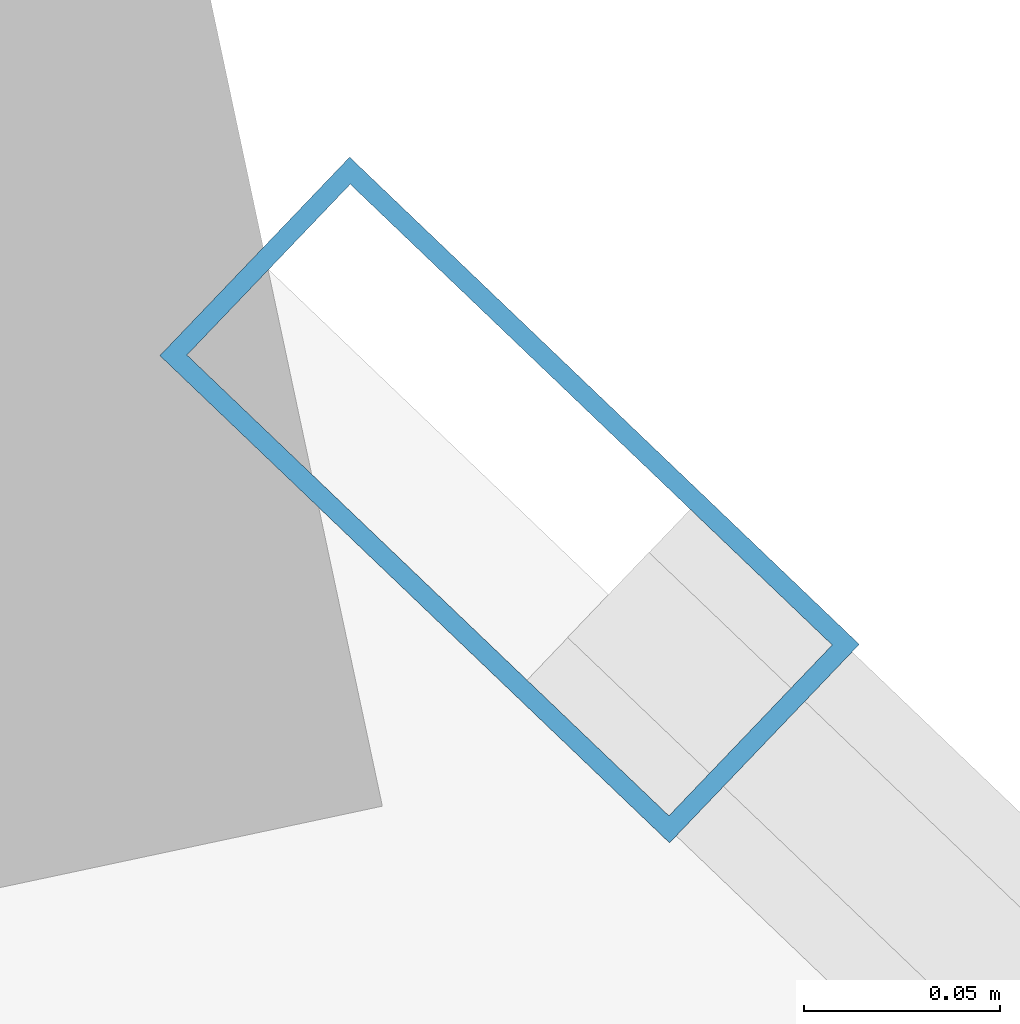
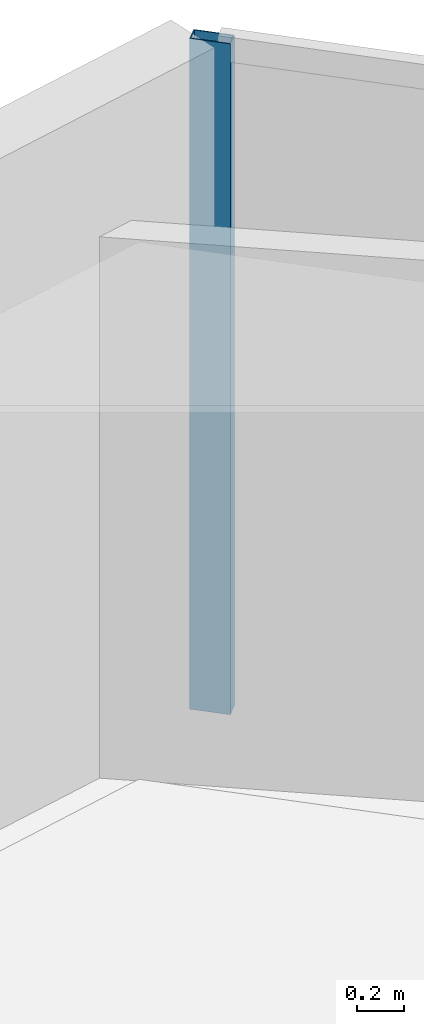
# One storey, part 16 of 23: 1 member, 1 element without a shape of its own.
"""IFC4 building model written with IfcOpenShell, lengths in metres."""

import ifcopenshell
import ifcopenshell.guid

model = None  # the IFC model being written
_history = None  # IfcOwnerHistory: only IFC2X3 demands one
_inside = {}  # id of a spatial element -> (the spatial element, [elements in it])
_under = {}  # id of a project, library or spatial element -> (it, [spatial elements below it])
_declared = {}  # id of a project -> (the project, [libraries it declares])
_typed = {}  # id of a type object -> (the type object, [elements of that type])
_made_of = {}  # id of a material, layer set ... -> (it, [elements and type objects made of it])


def new_model(schema):
    """Start an empty IFC model of exactly this schema.

    Asked for "IFC4X3", IfcOpenShell would pick the latest addendum, in which some entities
    have other attributes; the version numbers below select the first issue.
    IFC2X3 requires an IfcOwnerHistory on every rooted entity: one is made here for all.
    """
    global model, _history
    if schema == "IFC4X3":
        model = ifcopenshell.file(schema_version=(4, 3, 0, 0))
    else:
        model = ifcopenshell.file(schema=schema)
    _inside.clear()
    _under.clear()
    _declared.clear()
    _typed.clear()
    _made_of.clear()
    _history = None
    if model.schema == "IFC2X3":
        org = make("IfcOrganization", Name="unknown")
        user = make(
            "IfcPersonAndOrganization",
            ThePerson=make("IfcPerson", FamilyName="unknown"),
            TheOrganization=org,
        )
        app = make(
            "IfcApplication",
            ApplicationDeveloper=org,
            Version="unknown",
            ApplicationFullName="unknown",
            ApplicationIdentifier="unknown",
        )
        _history = make(
            "IfcOwnerHistory",
            OwningUser=user,
            OwningApplication=app,
            ChangeAction="ADDED",
            CreationDate=0,
        )
    return model


def make(cls, **values):
    """One entity of the class cls with the attributes given. An attribute that is None is left unset."""
    return model.create_entity(
        cls, **{name: value for name, value in values.items() if value is not None}
    )


def rooted(cls, **values):
    """An entity with a GlobalId (a new one), such as an element, a storey or a relation."""
    return make(cls, GlobalId=ifcopenshell.guid.new(), OwnerHistory=_history, **values)


def si_unit(unit_type, name, prefix=None):
    """IfcSIUnit, for example si_unit("LENGTHUNIT", "METRE", prefix="MILLI")."""
    return make("IfcSIUnit", UnitType=unit_type, Prefix=prefix, Name=name)


def assignment(units):
    """IfcUnitAssignment: the units of a project."""
    return None if units is None else make("IfcUnitAssignment", Units=units)


def point(xyz):
    """IfcCartesianPoint."""
    return None if xyz is None else make("IfcCartesianPoint", Coordinates=xyz)


def direction(xyz):
    """IfcDirection."""
    return None if xyz is None else make("IfcDirection", DirectionRatios=xyz)


def frame(location, z_axis=None, x_axis=None):
    """IfcAxis2Placement3D, a coordinate frame: its origin and axes. An axis left out is left unset."""
    return make(
        "IfcAxis2Placement3D",
        Location=point(location),
        Axis=direction(z_axis),
        RefDirection=direction(x_axis),
    )


def frame_2d(location, x_axis=None):
    """IfcAxis2Placement2D, a coordinate frame in the plane: its origin and x axis."""
    return make(
        "IfcAxis2Placement2D", Location=point(location), RefDirection=direction(x_axis)
    )


def origin():
    """The frame at (0, 0, 0) with its axes left unset."""
    return frame((0.0, 0.0, 0.0))


def origin_2d():
    """The frame at (0, 0) in the plane with its x axis left unset."""
    return frame_2d((0.0, 0.0))


def place(relative_to, where):
    """IfcLocalPlacement: puts the frame where relative to a parent placement (None: the world)."""
    return make(
        "IfcLocalPlacement", PlacementRelTo=relative_to, RelativePlacement=where
    )


def context(
    kind, dimensions, precision=None, world=None, true_north=None, identifier=None
):
    """IfcGeometricRepresentationContext, for example the 3D "Model" context."""
    return make(
        "IfcGeometricRepresentationContext",
        ContextIdentifier=identifier,
        ContextType=kind,
        CoordinateSpaceDimension=dimensions,
        Precision=precision,
        WorldCoordinateSystem=world,
        TrueNorth=true_north,
    )


def subcontext(parent, identifier, kind, view, scale=None):
    """IfcGeometricRepresentationSubContext, for example "Body" below "Model"."""
    return make(
        "IfcGeometricRepresentationSubContext",
        ContextIdentifier=identifier,
        ContextType=kind,
        ParentContext=parent,
        TargetScale=scale,
        TargetView=view,
    )


def project(units=None, contexts=None):
    """IfcProject with its units and contexts."""
    return rooted(
        "IfcProject",
        Name="project",
        RepresentationContexts=contexts,
        UnitsInContext=assignment(units),
    )


def spatial(cls, under=None, at=None, **own):
    """A site, building, storey or space (cls), placed at a placement, below another one or the project."""
    s = rooted(cls, ObjectPlacement=at, **own)
    if under is not None:
        _under.setdefault(under.id(), (under, []))[1].append(s)
    return s


def profile(cls, at=None, kind="AREA", **sizes):
    """A parametric profile (cls). Its sizes go by their IFC names, for example OverallWidth=200.0."""
    return make(cls, ProfileType=kind, Position=at, **sizes)


def hollow_rectangle(**sizes):
    """IfcRectangleHollowProfileDef."""
    return profile("IfcRectangleHollowProfileDef", **sizes)


def extrude(swept, where, along, depth):
    """IfcExtrudedAreaSolid: the profile swept, set in the frame where, extruded along a direction by depth."""
    return make(
        "IfcExtrudedAreaSolid",
        SweptArea=swept,
        Position=where,
        ExtrudedDirection=direction(along),
        Depth=depth,
    )


def shape(context_of_items, identifier, shape_type, items):
    """IfcShapeRepresentation: the items that make up one representation, for example the "Body"."""
    return make(
        "IfcShapeRepresentation",
        ContextOfItems=context_of_items,
        RepresentationIdentifier=identifier,
        RepresentationType=shape_type,
        Items=items,
    )


def material(Name=None, Category=None):
    """IfcMaterial."""
    return make("IfcMaterial", Name=Name, Category=Category)


def layer(
    of_material, thickness, ventilated=None, Name=None, Category=None, Priority=None
):
    """IfcMaterialLayer: one layer of a wall or slab, of a material (None: an air gap)."""
    return make(
        "IfcMaterialLayer",
        Material=of_material,
        LayerThickness=thickness,
        IsVentilated=ventilated,
        Name=Name,
        Category=Category,
        Priority=Priority,
    )


def layer_set(layers, Name=None):
    """IfcMaterialLayerSet."""
    return make("IfcMaterialLayerSet", MaterialLayers=layers, LayerSetName=Name)


def material_profile(
    of_material, cross_section, Name=None, Category=None, Priority=None
):
    """IfcMaterialProfile: a cross section and its material."""
    return make(
        "IfcMaterialProfile",
        Name=Name,
        Material=of_material,
        Profile=cross_section,
        Priority=Priority,
        Category=Category,
    )


def profile_set(profiles, Name=None, composite=None):
    """IfcMaterialProfileSet."""
    return make(
        "IfcMaterialProfileSet",
        Name=Name,
        MaterialProfiles=profiles,
        CompositeProfile=composite,
    )


def made_of(thing, what):
    """Note that an element or type object is made of a material, layer set ...; save() writes the relation."""
    if what is not None:
        _made_of.setdefault(what.id(), (what, []))[1].append(thing)
    return thing


def type_object(cls, material=None, **own):
    """A type object (cls), such as IfcWallType, which elements share."""
    return made_of(rooted(cls, **own), material)


def element(
    cls,
    number,
    at=None,
    inside=None,
    cuts=None,
    type_object=None,
    material=None,
    context=None,
    identifier="Body",
    shape_type=None,
    held_by="IfcProductDefinitionShape",
    body=None,
    shapes=None,
    **own,
):
    """One element of the class cls, such as IfcWall. Its Tag is "e" and its number.

    at: its placement. inside: the storey or other place that contains it. cuts: it is an
    opening in that element (IfcRelVoidsElement). A single representation is given by context,
    identifier, shape_type and body (its items); several are given by shapes. held_by: the class
    of the entity that holds the representations. save() writes the other relations.
    """
    e = rooted(cls, Tag="e%d" % number, ObjectPlacement=at, **own)
    if body is not None:
        shapes = [shape(context, identifier, shape_type, body)]
    if shapes is not None:
        e.Representation = make(held_by, Representations=shapes)
    if inside is not None:
        _inside.setdefault(inside.id(), (inside, []))[1].append(e)
    if cuts is not None:
        rooted(
            "IfcRelVoidsElement", RelatingBuildingElement=cuts, RelatedOpeningElement=e
        )
    if type_object is not None:
        _typed.setdefault(type_object.id(), (type_object, []))[1].append(e)
    return made_of(e, material)


def aggregate(whole, parts):
    """IfcRelAggregates: a whole, such as a stair, and the parts it consists of."""
    return rooted("IfcRelAggregates", RelatingObject=whole, RelatedObjects=parts)


def save(model, path):
    """Write the relations noted so far, then the file.

    IfcRelAggregates (storeys below a building ...), IfcRelContainedInSpatialStructure (elements
    in a storey), IfcRelDefinesByType, IfcRelAssociatesMaterial and IfcRelDeclares: one each for
    every whole, place, type object, material and project.
    """
    for whole, parts in _under.values():
        aggregate(whole, parts)
    for where, things in _inside.values():
        rooted(
            "IfcRelContainedInSpatialStructure",
            RelatedElements=things,
            RelatingStructure=where,
        )
    for kind, things in _typed.values():
        rooted("IfcRelDefinesByType", RelatedObjects=things, RelatingType=kind)
    for what, things in _made_of.values():
        rooted("IfcRelAssociatesMaterial", RelatedObjects=things, RelatingMaterial=what)
    for by, libraries in _declared.values():
        rooted("IfcRelDeclares", RelatingContext=by, RelatedDefinitions=libraries)
    model.write(path)


model = new_model("IFC4")

# Units and contexts
model_context = context("Model", 3, precision=1e-05, world=origin(), true_north=direction((0.0, 1.0)))
body_context = subcontext(model_context, "Body", "Model", "MODEL_VIEW")
ifc_project = project(units=[si_unit("LENGTHUNIT", "METRE"), si_unit("AREAUNIT", "SQUARE_METRE"), si_unit("VOLUMEUNIT", "CUBIC_METRE"), si_unit("PLANEANGLEUNIT", "RADIAN"), si_unit("MASSUNIT", "GRAM", prefix="KILO")], contexts=[model_context])

# Site, building, storey
site_placement = place(None, origin())
site = spatial("IfcSite", under=ifc_project, at=site_placement, CompositionType="ELEMENT")
building_placement = place(site_placement, origin())
building = spatial("IfcBuilding", under=site, at=building_placement, Name="Qianvela Tower", CompositionType="ELEMENT")
storey_placement = place(building_placement, frame((0.0, 0.0, 63.60009765625)))
storey = spatial("IfcBuildingStorey", under=building, at=storey_placement, Name="L15", CompositionType="ELEMENT", Elevation=63.60009765625)

# Curtain wall, member
ifc_material_1 = material(Name="Anodised Architectural Aluminium and Low-E Glass", Category="aluminium")
ifc_layer = layer(ifc_material_1, 0.179931640625)
ifc_layer_set = layer_set([ifc_layer], Name="Anodised Architectural Aluminium and Low-E Glass")
curtain_wall_type = type_object("IfcCurtainWallType", Name="CW-COLIV-Z12", PredefinedType="USERDEFINED", material=ifc_layer_set)
curtain_wall_placement = place(storey_placement, origin())
curtain_wall = element("IfcCurtainWall", 1, at=curtain_wall_placement, inside=storey, type_object=curtain_wall_type, Name="L15 CW-COLIV-Z12 Curtain Wall 02C", ObjectType="CURTAIN_WALL_SYSTEM", PredefinedType="USERDEFINED")
ifc_material_2 = material(Name="Anodised Architectural Aluminium 6063-T6", Category="aluminium")
ifc_material_profile = material_profile(ifc_material_2, hollow_rectangle(XDim=0.070068359375, YDim=0.179931640625, WallThickness=0.0048828125, at=origin_2d()), Name="ALU-MULL-70x180")
ifc_profile_set = profile_set([ifc_material_profile], Name="Anodised Architectural Aluminium 6063-T6")
member_type = type_object("IfcMemberType", Name="CW-COLIV-Z12-MULL", PredefinedType="MULLION", material=ifc_profile_set)
member_placement = place(storey_placement, frame((37.103271484375, 44.660400390625, 0.0), z_axis=(0.0, 0.0, 1.0), x_axis=(-0.691042328352, -0.722814291797, 0.0)))
member = element("IfcMember", 2, at=member_placement, type_object=member_type, Name="CW-3 mullion 2", PredefinedType="MULLION", context=body_context, shape_type="SweptSolid", body=[
    extrude(hollow_rectangle(XDim=0.070068359375, YDim=0.179931640625, WallThickness=0.0048828125, at=origin_2d()), origin(), (0.0, 0.0, 1.0), 3.52001953125),
])
aggregate(curtain_wall, [member])

save(model, "model.ifc")
